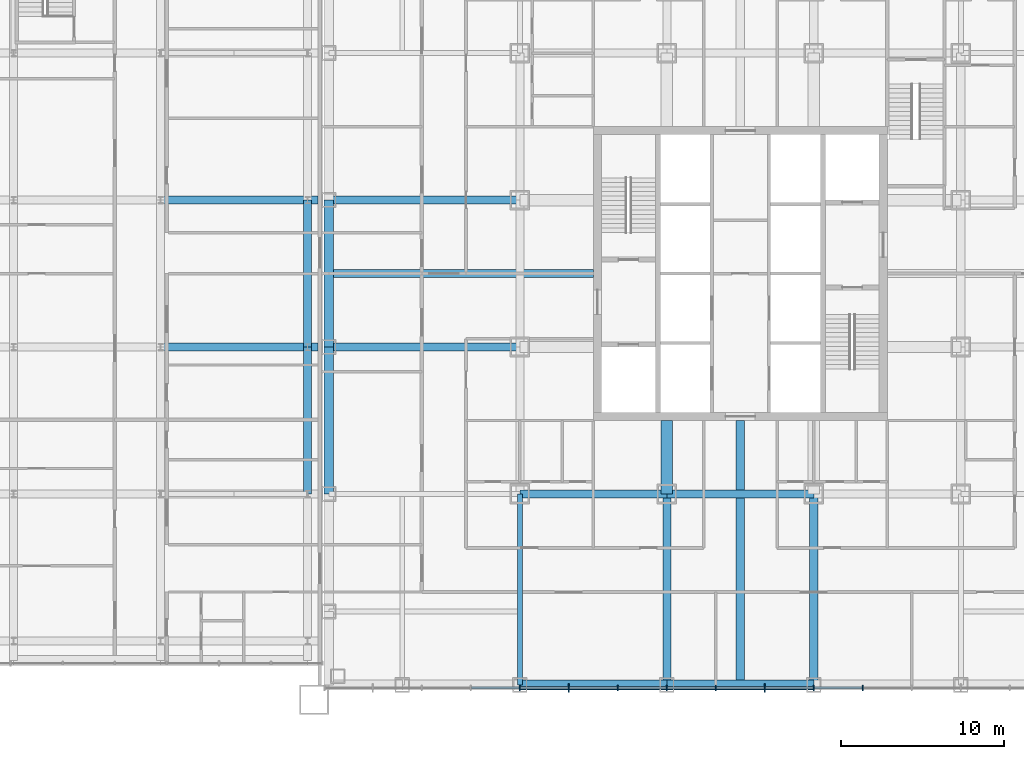
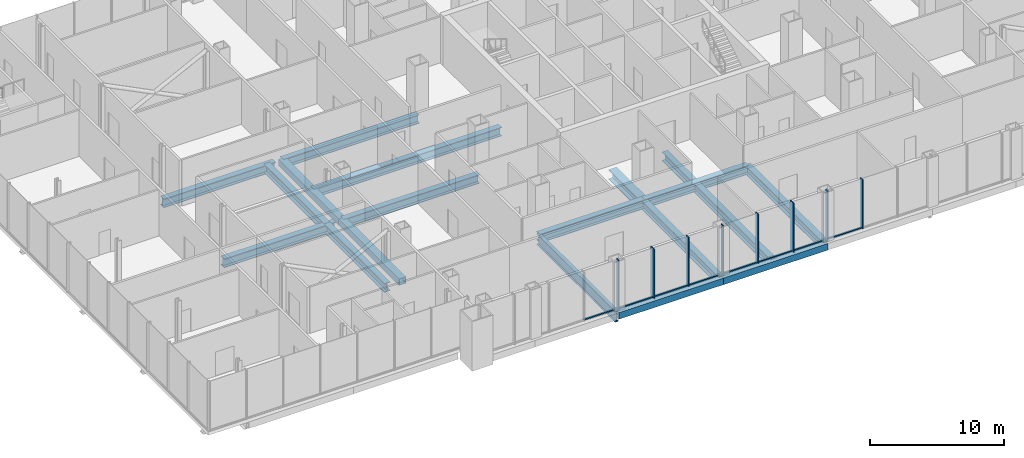
# One storey, part 6 of 25: 18 beams, 16 members, 1 element without a shape of its own.
"""IFC4 building model written with IfcOpenShell, lengths in metres."""

from ifc_helpers import new_model, si_unit, direction, frame, origin, origin_2d, place, context, subcontext, project, spatial, rectangle, hollow_rectangle, i_section, extrude, material, layer, layer_set, material_profile, profile_set, type_object, element, aggregate, save


model = new_model("IFC4")

# Units and contexts
model_context = context("Model", 3, precision=1e-05, world=origin(), true_north=direction((0.0, 1.0)))
body_context = subcontext(model_context, "Body", "Model", "MODEL_VIEW")
ifc_project = project(units=[si_unit("LENGTHUNIT", "METRE"), si_unit("AREAUNIT", "SQUARE_METRE"), si_unit("VOLUMEUNIT", "CUBIC_METRE"), si_unit("PLANEANGLEUNIT", "RADIAN"), si_unit("MASSUNIT", "GRAM", prefix="KILO")], contexts=[model_context])

# Site, building, storey
site_placement = place(None, origin())
site = spatial("IfcSite", under=ifc_project, at=site_placement, CompositionType="ELEMENT")
building_placement = place(site_placement, origin())
building = spatial("IfcBuilding", under=site, at=building_placement, Name="Malebo Sky Hospital", CompositionType="ELEMENT")
storey_placement = place(building_placement, frame((0.0, 0.0, 16.5)))
storey = spatial("IfcBuildingStorey", under=building, at=storey_placement, Name="L03", CompositionType="ELEMENT", Elevation=16.5)

# Curtain wall, members
ifc_material_1 = material(Name="Anodised aluminium, natural silver", Category="aluminium")
ifc_layer = layer(ifc_material_1, 0.25)
ifc_layer_set = layer_set([ifc_layer], Name="PODIUM ENTRANCE BAY CURTAIN WALL")
curtain_wall_type = type_object("IfcCurtainWallType", Name="PODIUM ENTRANCE BAY CURTAIN WALL", PredefinedType="NOTDEFINED", material=ifc_layer_set)
curtain_wall_placement = place(storey_placement, origin())
curtain_wall = element("IfcCurtainWall", 1, at=curtain_wall_placement, inside=storey, type_object=curtain_wall_type, Name="BAY curtain wall BS", PredefinedType="NOTDEFINED")
ifc_material_profile_1 = material_profile(ifc_material_1, rectangle(XDim=0.14990234375, YDim=0.10009765625, at=origin_2d()), Name="ALUMINIUM TRANSOM 150x100")
ifc_profile_set_1 = profile_set([ifc_material_profile_1], Name="Anodised aluminium, natural silver")
member_type_1 = type_object("IfcMemberType", Name="ALUMINIUM TRANSOM 150x100", PredefinedType="USERDEFINED", material=ifc_profile_set_1)
member_1_placement = place(storey_placement, frame((43.53759765625, 36.625, 0.050048828125), z_axis=(1.0, 0.0, 0.0), x_axis=(0.0, 1.0, 0.0)))
member_1 = element("IfcMember", 2, at=member_1_placement, type_object=member_type_1, Name="Transom 4", ObjectType="TRANSOM", PredefinedType="USERDEFINED", context=body_context, shape_type="SweptSolid", body=[
    extrude(rectangle(XDim=0.14990234375, YDim=0.10009765625, at=origin_2d()), origin(), (0.0, 0.0, 1.0), 2.9248046875),
])
member_2_placement = place(storey_placement, frame((46.53759765625, 36.625, 0.050048828125), z_axis=(1.0, 0.0, 0.0), x_axis=(0.0, 1.0, 0.0)))
member_2 = element("IfcMember", 3, at=member_2_placement, type_object=member_type_1, Name="Transom 5", ObjectType="TRANSOM", PredefinedType="USERDEFINED", context=body_context, shape_type="SweptSolid", body=[
    extrude(rectangle(XDim=0.14990234375, YDim=0.10009765625, at=origin_2d()), origin(), (0.0, 0.0, 1.0), 2.9248046875),
])
member_3_placement = place(storey_placement, frame((49.53759765625, 36.625, 0.050048828125), z_axis=(1.0, 0.0, 0.0), x_axis=(0.0, 1.0, 0.0)))
member_3 = element("IfcMember", 4, at=member_3_placement, type_object=member_type_1, Name="Transom 6", ObjectType="TRANSOM", PredefinedType="USERDEFINED", context=body_context, shape_type="SweptSolid", body=[
    extrude(rectangle(XDim=0.14990234375, YDim=0.10009765625, at=origin_2d()), origin(), (0.0, 0.0, 1.0), 2.9248046875),
])
member_4_placement = place(storey_placement, frame((52.53759765625, 36.625, 0.050048828125), z_axis=(1.0, 0.0, 0.0), x_axis=(0.0, 1.0, 0.0)))
member_4 = element("IfcMember", 5, at=member_4_placement, type_object=member_type_1, Name="Transom 7", ObjectType="TRANSOM", PredefinedType="USERDEFINED", context=body_context, shape_type="SweptSolid", body=[
    extrude(rectangle(XDim=0.14990234375, YDim=0.10009765625, at=origin_2d()), origin(), (0.0, 0.0, 1.0), 2.9248046875),
])
member_5_placement = place(storey_placement, frame((55.53759765625, 36.625, 0.050048828125), z_axis=(1.0, 0.0, 0.0), x_axis=(0.0, 1.0, 0.0)))
member_5 = element("IfcMember", 6, at=member_5_placement, type_object=member_type_1, Name="Transom 8", ObjectType="TRANSOM", PredefinedType="USERDEFINED", context=body_context, shape_type="SweptSolid", body=[
    extrude(rectangle(XDim=0.14990234375, YDim=0.10009765625, at=origin_2d()), origin(), (0.0, 0.0, 1.0), 2.9248046875),
])
member_6_placement = place(storey_placement, frame((58.53759765625, 36.625, 0.050048828125), z_axis=(1.0, 0.0, 0.0), x_axis=(0.0, 1.0, 0.0)))
member_6 = element("IfcMember", 7, at=member_6_placement, type_object=member_type_1, Name="Transom 9", ObjectType="TRANSOM", PredefinedType="USERDEFINED", context=body_context, shape_type="SweptSolid", body=[
    extrude(rectangle(XDim=0.14990234375, YDim=0.10009765625, at=origin_2d()), origin(), (0.0, 0.0, 1.0), 2.9248046875),
])
member_7_placement = place(storey_placement, frame((61.53759765625, 36.625, 0.050048828125), z_axis=(1.0, 0.0, 0.0), x_axis=(0.0, 1.0, 0.0)))
member_7 = element("IfcMember", 8, at=member_7_placement, type_object=member_type_1, Name="Transom 10", ObjectType="TRANSOM", PredefinedType="USERDEFINED", context=body_context, shape_type="SweptSolid", body=[
    extrude(rectangle(XDim=0.14990234375, YDim=0.10009765625, at=origin_2d()), origin(), (0.0, 0.0, 1.0), 2.9248046875),
])
member_8_placement = place(storey_placement, frame((64.53759765625, 36.625, 0.050048828125), z_axis=(1.0, 0.0, 0.0), x_axis=(0.0, 1.0, 0.0)))
member_8 = element("IfcMember", 9, at=member_8_placement, type_object=member_type_1, Name="Transom 11", ObjectType="TRANSOM", PredefinedType="USERDEFINED", context=body_context, shape_type="SweptSolid", body=[
    extrude(rectangle(XDim=0.14990234375, YDim=0.10009765625, at=origin_2d()), origin(), (0.0, 0.0, 1.0), 2.9248046875),
])
ifc_material_profile_2 = material_profile(ifc_material_1, rectangle(XDim=0.074951171875, YDim=0.35009765625, at=origin_2d()), Name="CW4 ALUMINIUM FIN MULLION 75x350")
ifc_profile_set_2 = profile_set([ifc_material_profile_2], Name="Anodised aluminium, natural silver")
member_type_2 = type_object("IfcMemberType", Name="CW4 ALUMINIUM FIN MULLION 75x350", PredefinedType="MULLION", material=ifc_profile_set_2)
member_9_placement = place(storey_placement, frame((46.5, 36.625, 0.0), z_axis=(0.0, 0.0, 1.0), x_axis=(1.0, 0.0, 0.0)))
member_9 = element("IfcMember", 10, at=member_9_placement, type_object=member_type_2, Name="Fin mullion 5", PredefinedType="MULLION", context=body_context, shape_type="SweptSolid", body=[
    extrude(rectangle(XDim=0.074951171875, YDim=0.35009765625, at=origin_2d()), origin(), (0.0, 0.0, 1.0), 4.5),
])
member_10_placement = place(storey_placement, frame((52.5, 36.625, 0.0), z_axis=(0.0, 0.0, 1.0), x_axis=(1.0, 0.0, 0.0)))
member_10 = element("IfcMember", 11, at=member_10_placement, type_object=member_type_2, Name="Fin mullion 7", PredefinedType="MULLION", context=body_context, shape_type="SweptSolid", body=[
    extrude(rectangle(XDim=0.074951171875, YDim=0.35009765625, at=origin_2d()), origin(), (0.0, 0.0, 1.0), 4.5),
])
member_11_placement = place(storey_placement, frame((55.5, 36.625, 0.0), z_axis=(0.0, 0.0, 1.0), x_axis=(1.0, 0.0, 0.0)))
member_11 = element("IfcMember", 12, at=member_11_placement, type_object=member_type_2, Name="Fin mullion 8", PredefinedType="MULLION", context=body_context, shape_type="SweptSolid", body=[
    extrude(rectangle(XDim=0.074951171875, YDim=0.35009765625, at=origin_2d()), origin(), (0.0, 0.0, 1.0), 4.5),
])
member_12_placement = place(storey_placement, frame((58.5, 36.625, 0.0), z_axis=(0.0, 0.0, 1.0), x_axis=(1.0, 0.0, 0.0)))
member_12 = element("IfcMember", 13, at=member_12_placement, type_object=member_type_2, Name="Fin mullion 9", PredefinedType="MULLION", context=body_context, shape_type="SweptSolid", body=[
    extrude(rectangle(XDim=0.074951171875, YDim=0.35009765625, at=origin_2d()), origin(), (0.0, 0.0, 1.0), 4.5),
])
member_13_placement = place(storey_placement, frame((64.5, 36.625, 0.0), z_axis=(0.0, 0.0, 1.0), x_axis=(1.0, 0.0, 0.0)))
member_13 = element("IfcMember", 14, at=member_13_placement, type_object=member_type_2, Name="Fin mullion 11", PredefinedType="MULLION", context=body_context, shape_type="SweptSolid", body=[
    extrude(rectangle(XDim=0.074951171875, YDim=0.35009765625, at=origin_2d()), origin(), (0.0, 0.0, 1.0), 4.5),
])
member_14_placement = place(storey_placement, frame((67.5, 36.625, 0.0), z_axis=(0.0, 0.0, 1.0), x_axis=(1.0, 0.0, 0.0)))
member_14 = element("IfcMember", 15, at=member_14_placement, type_object=member_type_2, Name="Fin mullion 12", PredefinedType="MULLION", context=body_context, shape_type="SweptSolid", body=[
    extrude(rectangle(XDim=0.074951171875, YDim=0.35009765625, at=origin_2d()), origin(), (0.0, 0.0, 1.0), 4.5),
])
ifc_material_profile_3 = material_profile(ifc_material_1, rectangle(XDim=0.074951171875, YDim=0.5, at=origin_2d()), Name="CW4 ALUMINIUM FIN MULLION 75x500")
ifc_profile_set_3 = profile_set([ifc_material_profile_3], Name="Anodised aluminium, natural silver")
member_type_3 = type_object("IfcMemberType", Name="CW4 ALUMINIUM FIN MULLION 75x500", PredefinedType="MULLION", material=ifc_profile_set_3)
member_15_placement = place(storey_placement, frame((49.5, 36.625, 0.0), z_axis=(0.0, 0.0, 1.0), x_axis=(1.0, 0.0, 0.0)))
member_15 = element("IfcMember", 16, at=member_15_placement, type_object=member_type_3, Name="Fin mullion 6", PredefinedType="MULLION", context=body_context, shape_type="SweptSolid", body=[
    extrude(rectangle(XDim=0.074951171875, YDim=0.5, at=origin_2d()), origin(), (0.0, 0.0, 1.0), 4.5),
])
member_16_placement = place(storey_placement, frame((61.5, 36.625, 0.0), z_axis=(0.0, 0.0, 1.0), x_axis=(1.0, 0.0, 0.0)))
member_16 = element("IfcMember", 17, at=member_16_placement, type_object=member_type_3, Name="Fin mullion 10", PredefinedType="MULLION", context=body_context, shape_type="SweptSolid", body=[
    extrude(rectangle(XDim=0.074951171875, YDim=0.5, at=origin_2d()), origin(), (0.0, 0.0, 1.0), 4.5),
])
aggregate(curtain_wall, [member_9, member_15, member_10, member_11, member_12, member_16, member_13, member_14, member_1, member_2, member_3, member_4, member_5, member_6, member_7, member_8])

# Beams
ifc_material_2 = material(Name="Steel S460", Category="steel")
ifc_material_profile_4 = material_profile(ifc_material_2, hollow_rectangle(XDim=0.60009765625, YDim=0.60009765625, WallThickness=0.0400390625, at=origin_2d()), Name="BOX 600x600x40")
ifc_profile_set_4 = profile_set([ifc_material_profile_4], Name="Steel S460")
beam_type_1 = type_object("IfcBeamType", Name="EDGE BEAM BOX 600x600x40", PredefinedType="BEAM", material=ifc_profile_set_4)
for number, where, z_axis, x_axis, name in (
    (18, (34.800048828125, 48.5, -0.60009765625), (0.0, 1.0, 0.0), (-1.0, 0.0, 0.0), "Beam 002 L03"),
    (19, (34.800048828125, 57.5, -0.60009765625), (0.0, 1.0, 0.0), (-1.0, 0.0, 0.0), "Beam 003 L03"),
    (20, (46.5, 36.800048828125, -0.60009765625), (1.0, 0.0, 0.0), (0.0, 1.0, 0.0), "Beam 040 L03"),
    (21, (55.5, 36.800048828125, -0.60009765625), (1.0, 0.0, 0.0), (0.0, 1.0, 0.0), "Beam 041 L03"),
):
    element("IfcBeam", number, at=place(storey_placement, frame(where, z_axis=z_axis, x_axis=x_axis)), inside=storey, type_object=beam_type_1, Name=name, PredefinedType="BEAM", context=body_context, shape_type="SweptSolid", body=[
        extrude(hollow_rectangle(XDim=0.60009765625, YDim=0.60009765625, WallThickness=0.0400390625, at=origin_2d()), origin(), (0.0, 0.0, 1.0), 9.0),
    ])
ifc_material_3 = material(Name="Steel S355", Category="steel")
ifc_material_profile_5 = material_profile(ifc_material_3, i_section(OverallWidth=0.5, OverallDepth=0.800048828125, WebThickness=0.030029296875, FlangeThickness=0.050048828125, at=origin_2d()), Name="PG 800x500x30x50")
ifc_profile_set_5 = profile_set([ifc_material_profile_5], Name="Steel S355")
beam_type_2 = type_object("IfcBeamType", Name="FLOOR BEAM PG 800x500x30x50", PredefinedType="BEAM", material=ifc_profile_set_5)
beam_1_placement = place(storey_placement, frame((55.5, 36.800048828125, -0.699951171875), z_axis=(0.0, 1.0, 0.0), x_axis=(-1.0, 0.0, 0.0)))
element("IfcBeam", 22, at=beam_1_placement, inside=storey, type_object=beam_type_2, Name="Beam 014 L03", PredefinedType="BEAM", context=body_context, shape_type="SweptSolid", body=[
    extrude(i_section(OverallWidth=0.5, OverallDepth=0.800048828125, WebThickness=0.030029296875, FlangeThickness=0.050048828125, at=origin_2d()), origin(), (0.0, 0.0, 1.0), 11.699951171875),
])
beam_2_placement = place(storey_placement, frame((60.0, 36.800048828125, -0.699951171875), z_axis=(0.0, 1.0, 0.0), x_axis=(-1.0, 0.0, 0.0)))
element("IfcBeam", 23, at=beam_2_placement, inside=storey, type_object=beam_type_2, Name="Beam 018 L03", PredefinedType="BEAM", context=body_context, shape_type="SweptSolid", body=[
    extrude(i_section(OverallWidth=0.5, OverallDepth=0.800048828125, WebThickness=0.030029296875, FlangeThickness=0.050048828125, at=origin_2d()), origin(), (0.0, 0.0, 1.0), 16.199951171875),
])
beam_3_placement = place(storey_placement, frame((64.5, 36.800048828125, -0.699951171875), z_axis=(0.0, 1.0, 0.0), x_axis=(-1.0, 0.0, 0.0)))
element("IfcBeam", 24, at=beam_3_placement, inside=storey, type_object=beam_type_2, Name="Beam 020 L03", PredefinedType="BEAM", context=body_context, shape_type="SweptSolid", body=[
    extrude(i_section(OverallWidth=0.5, OverallDepth=0.800048828125, WebThickness=0.030029296875, FlangeThickness=0.050048828125, at=origin_2d()), origin(), (0.0, 0.0, 1.0), 11.699951171875),
])
beam_4_placement = place(storey_placement, frame((46.5, 48.5, -0.699951171875), z_axis=(1.0, 0.0, 0.0), x_axis=(0.0, 1.0, 0.0)))
element("IfcBeam", 25, at=beam_4_placement, inside=storey, type_object=beam_type_2, Name="Beam 048 L03", PredefinedType="BEAM", context=body_context, shape_type="SweptSolid", body=[
    extrude(i_section(OverallWidth=0.5, OverallDepth=0.800048828125, WebThickness=0.030029296875, FlangeThickness=0.050048828125, at=origin_2d()), origin(), (0.0, 0.0, 1.0), 9.0),
])
beam_5_placement = place(storey_placement, frame((34.800048828125, 57.5, -0.699951171875), z_axis=(1.0, 0.0, 0.0), x_axis=(0.0, 1.0, 0.0)))
element("IfcBeam", 26, at=beam_5_placement, inside=storey, type_object=beam_type_2, Name="Beam 052 L03", PredefinedType="BEAM", context=body_context, shape_type="SweptSolid", body=[
    extrude(i_section(OverallWidth=0.5, OverallDepth=0.800048828125, WebThickness=0.030029296875, FlangeThickness=0.050048828125, at=origin_2d()), origin(), (0.0, 0.0, 1.0), 11.699951171875),
])
beam_6_placement = place(storey_placement, frame((34.800048828125, 62.0, -0.699951171875), z_axis=(1.0, 0.0, 0.0), x_axis=(0.0, 1.0, 0.0)))
element("IfcBeam", 27, at=beam_6_placement, inside=storey, type_object=beam_type_2, Name="Beam 056 L03", PredefinedType="BEAM", context=body_context, shape_type="SweptSolid", body=[
    extrude(i_section(OverallWidth=0.5, OverallDepth=0.800048828125, WebThickness=0.030029296875, FlangeThickness=0.050048828125, at=origin_2d()), origin(), (0.0, 0.0, 1.0), 16.199951171875),
])
beam_7_placement = place(storey_placement, frame((34.800048828125, 66.5, -0.699951171875), z_axis=(1.0, 0.0, 0.0), x_axis=(0.0, 1.0, 0.0)))
element("IfcBeam", 28, at=beam_7_placement, inside=storey, type_object=beam_type_2, Name="Beam 058 L03", PredefinedType="BEAM", context=body_context, shape_type="SweptSolid", body=[
    extrude(i_section(OverallWidth=0.5, OverallDepth=0.800048828125, WebThickness=0.030029296875, FlangeThickness=0.050048828125, at=origin_2d()), origin(), (0.0, 0.0, 1.0), 11.699951171875),
])
for number, where, z_axis, x_axis, name in (
    (29, (33.5, 48.5, -0.699951171875), (0.0, 1.0, 0.0), (-1.0, 0.0, 0.0), "Beam W012 L03"),
    (30, (33.5, 57.5, -0.699951171875), (0.0, 1.0, 0.0), (-1.0, 0.0, 0.0), "Beam W013 L03"),
):
    element("IfcBeam", number, at=place(storey_placement, frame(where, z_axis=z_axis, x_axis=x_axis)), inside=storey, type_object=beam_type_2, Name=name, PredefinedType="BEAM", context=body_context, shape_type="SweptSolid", body=[
        extrude(i_section(OverallWidth=0.5, OverallDepth=0.800048828125, WebThickness=0.030029296875, FlangeThickness=0.050048828125, at=origin_2d()), origin(), (0.0, 0.0, 1.0), 9.0),
    ])
for number, where, z_axis, x_axis, name in (
    (31, (24.5, 57.5, -0.699951171875), (1.0, 0.0, 0.0), (0.0, 1.0, 0.0), "Beam W021 L03"),
    (32, (24.5, 66.5, -0.699951171875), (1.0, 0.0, 0.0), (0.0, 1.0, 0.0), "Beam W023 L03"),
):
    element("IfcBeam", number, at=place(storey_placement, frame(where, z_axis=z_axis, x_axis=x_axis)), inside=storey, type_object=beam_type_2, Name=name, PredefinedType="BEAM", context=body_context, shape_type="SweptSolid", body=[
        extrude(i_section(OverallWidth=0.5, OverallDepth=0.800048828125, WebThickness=0.030029296875, FlangeThickness=0.050048828125, at=origin_2d()), origin(), (0.0, 0.0, 1.0), 9.64990234375),
    ])
ifc_material_profile_6 = material_profile(ifc_material_3, i_section(OverallWidth=0.699951171875, OverallDepth=0.89990234375, WebThickness=0.0400390625, FlangeThickness=0.070068359375, at=origin_2d()), Name="PG 900x700x40x70")
ifc_profile_set_6 = profile_set([ifc_material_profile_6], Name="Steel S355")
beam_type_3 = type_object("IfcBeamType", Name="FLOOR BEAM PG 900x700x40x70", PredefinedType="BEAM", material=ifc_profile_set_6)
beam_8_placement = place(storey_placement, frame((55.5, 48.5, -0.75), z_axis=(0.0, 1.0, 0.0), x_axis=(-1.0, 0.0, 0.0)))
element("IfcBeam", 33, at=beam_8_placement, inside=storey, type_object=beam_type_3, Name="Beam 015 L03", PredefinedType="BEAM", context=body_context, shape_type="SweptSolid", body=[
    extrude(i_section(OverallWidth=0.699951171875, OverallDepth=0.89990234375, WebThickness=0.0400390625, FlangeThickness=0.070068359375, at=origin_2d()), origin(), (0.0, 0.0, 1.0), 4.5),
])
ifc_material_profile_7 = material_profile(ifc_material_3, i_section(OverallWidth=0.300048828125, OverallDepth=1.0, WebThickness=0.01904296875, FlangeThickness=0.035888671875, FilletRadius=0.030029296875, at=origin_2d()), Name="HEB 1000")
ifc_profile_set_7 = profile_set([ifc_material_profile_7], Name="Steel S355")
beam_type_4 = type_object("IfcBeamType", Name="FLOOR GIRDER HEB 1000", PredefinedType="BEAM", material=ifc_profile_set_7)
beam_9_placement = place(storey_placement, frame((46.5, 36.800048828125, -0.800048828125), z_axis=(0.0, 1.0, 0.0), x_axis=(-1.0, 0.0, 0.0)))
element("IfcBeam", 34, at=beam_9_placement, inside=storey, type_object=beam_type_4, Name="Beam 009 L03", PredefinedType="BEAM", context=body_context, shape_type="SweptSolid", body=[
    extrude(i_section(OverallWidth=0.300048828125, OverallDepth=1.0, WebThickness=0.01904296875, FlangeThickness=0.035888671875, FilletRadius=0.030029296875, at=origin_2d()), origin(), (0.0, 0.0, 1.0), 11.699951171875),
])
ifc_material_profile_8 = material_profile(ifc_material_3, i_section(OverallWidth=0.5, OverallDepth=0.800048828125, WebThickness=0.030029296875, FlangeThickness=0.050048828125, at=origin_2d()), Name="PG 800x500x30x50")
ifc_profile_set_8 = profile_set([ifc_material_profile_8], Name="Steel S355")
beam_type_5 = type_object("IfcBeamType", Name="RING GIRDER PG 800x500x30x50", PredefinedType="BEAM", material=ifc_profile_set_8)
beam_10_placement = place(storey_placement, frame((55.5, 48.5, -0.699951171875), z_axis=(1.0, 0.0, 0.0), x_axis=(0.0, 1.0, 0.0)))
element("IfcBeam", 35, at=beam_10_placement, inside=storey, type_object=beam_type_5, Name="Beam 049 L03", PredefinedType="BEAM", context=body_context, shape_type="SweptSolid", body=[
    extrude(i_section(OverallWidth=0.5, OverallDepth=0.800048828125, WebThickness=0.030029296875, FlangeThickness=0.050048828125, at=origin_2d()), origin(), (0.0, 0.0, 1.0), 9.0),
])

save(model, "model.ifc")
